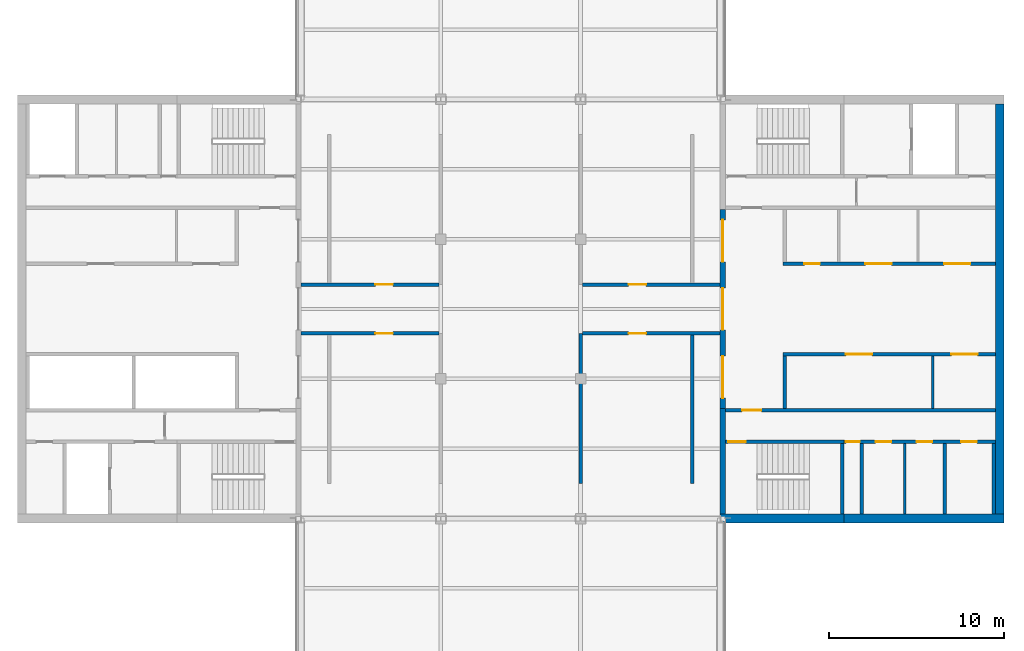
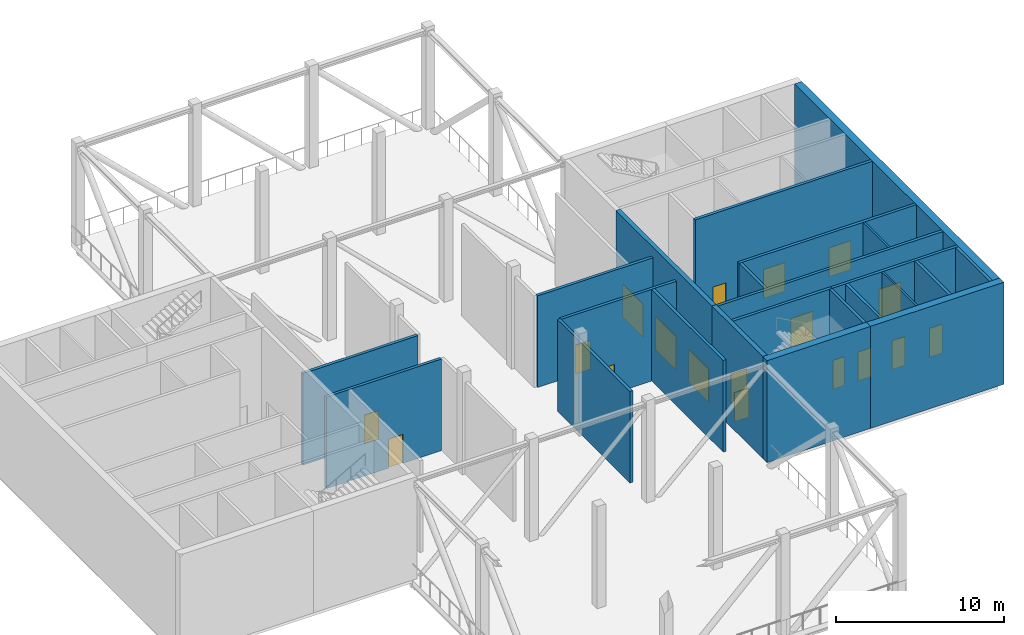
# One storey, part 3 of 9: 23 walls, 18 doors, 18 openings.
"""IFC4 building model written with IfcOpenShell, lengths in metres."""

from ifc_helpers import new_model, si_unit, direction, frame, frame_2d, origin, place, context, subcontext, project, spatial, rectangle, extrude, material, layer, layer_set, constituent, constituent_set, type_object, element, fill, save


model = new_model("IFC4")

# Units and contexts
model_context = context("Model", 3, precision=1e-05, world=origin(), true_north=direction((0.0, 1.0)))
body_context = subcontext(model_context, "Body", "Model", "MODEL_VIEW")
ifc_project = project(units=[si_unit("LENGTHUNIT", "METRE"), si_unit("AREAUNIT", "SQUARE_METRE"), si_unit("VOLUMEUNIT", "CUBIC_METRE"), si_unit("PLANEANGLEUNIT", "RADIAN"), si_unit("MASSUNIT", "GRAM", prefix="KILO")], contexts=[model_context])

# Site, building, storey
site_placement = place(None, origin())
site = spatial("IfcSite", under=ifc_project, at=site_placement, CompositionType="ELEMENT")
building_placement = place(site_placement, origin())
building = spatial("IfcBuilding", under=site, at=building_placement, Name="Crosswind Convention Tower", CompositionType="ELEMENT")
storey_placement = place(building_placement, frame((0.0, 0.0, 303.89990234375)))
storey = spatial("IfcBuildingStorey", under=building, at=storey_placement, Name="L66", CompositionType="ELEMENT", Elevation=303.89990234375)

# Walls
ifc_material_1 = material(Name="Concrete blockwork", Category="masonry")
ifc_layer_1 = layer(ifc_material_1, 0.199951171875)
ifc_layer_set_1 = layer_set([ifc_layer_1], Name="Blockwork partition wall 200")
wall_type_1 = type_object("IfcWallType", Name="Blockwork partition wall 200", PredefinedType="PARTITIONING", material=ifc_layer_set_1)
wall_1_placement = place(storey_placement, frame((145.10009765625, 88.25, 0.0), z_axis=(0.0, 0.0, 1.0), x_axis=(0.0, 1.0, 0.0)))
element("IfcWall", 1, at=wall_1_placement, inside=storey, type_object=wall_type_1, Name="Wall MRSE E L66", PredefinedType="PARTITIONING", context=body_context, shape_type="SweptSolid", body=[
    extrude(rectangle(XDim=4.050048828125, YDim=0.199951171875, at=frame_2d((2.02490234375, 0.0))), origin(), (0.0, 0.0, 1.0), 7.400146484375),
])
ifc_layer_2 = layer(ifc_material_1, 0.199951171875)
ifc_layer_set_2 = layer_set([ifc_layer_2], Name="COMPARTMENT WALL 200 BLOCKWORK")
wall_type_2 = type_object("IfcWallType", Name="COMPARTMENT WALL 200 BLOCKWORK", PredefinedType="SOLIDWALL", material=ifc_layer_set_2)
wall_2_placement = place(storey_placement, frame((129.0, 90.0, 0.0), z_axis=(0.0, 0.0, 1.0), x_axis=(0.0, 1.0, 0.0)))
element("IfcWall", 2, at=wall_2_placement, inside=storey, type_object=wall_type_2, Name="Compartment wall WT42", PredefinedType="SOLIDWALL", context=body_context, shape_type="SweptSolid", body=[
    extrude(rectangle(XDim=8.60009765625, YDim=0.199951171875, at=frame_2d((4.300048828125, 0.0))), origin(), (0.0, 0.0, 1.0), 6.642822265625),
])
wall_3_placement = place(storey_placement, frame((135.39990234375, 90.0, 0.0), z_axis=(0.0, 0.0, 1.0), x_axis=(0.0, 1.0, 0.0)))
element("IfcWall", 3, at=wall_3_placement, inside=storey, type_object=wall_type_2, Name="Compartment wall WT42", PredefinedType="SOLIDWALL", context=body_context, shape_type="SweptSolid", body=[
    extrude(rectangle(XDim=8.5, YDim=0.199951171875, at=frame_2d((4.25, 0.0))), origin(), (0.0, 0.0, 1.0), 6.642822265625),
])

# Wall, opening, door
wall_4_placement = place(storey_placement, frame((113.0, 98.60009765625, 0.0), z_axis=(0.0, 0.0, 1.0), x_axis=(1.0, 0.0, 0.0)))
wall_4 = element("IfcWall", 4, at=wall_4_placement, inside=storey, type_object=wall_type_2, Name="Compartment wall WT42", PredefinedType="SOLIDWALL", context=body_context, shape_type="SweptSolid", body=[
    extrude(rectangle(XDim=7.89990234375, YDim=0.199951171875, at=frame_2d((3.949951171875, 0.0))), origin(), (0.0, 0.0, 1.0), 6.642822265625),
])
opening_1_placement = place(wall_4_placement, frame((4.25, 0.0, 0.0)))
opening_1 = element("IfcOpeningElement", 5, at=opening_1_placement, cuts=wall_4, Name="Opening L66-52", PredefinedType="OPENING", context=body_context, shape_type="SweptSolid", body=[
    extrude(rectangle(XDim=1.0, YDim=2.10009765625, at=frame_2d((0.5, 1.050048828125))), frame((0.0, 0.10986328125, 0.0), z_axis=(0.0, -1.0, 0.0), x_axis=(1.0, 0.0, 0.0)), (0.0, 0.0, 1.0), 0.219970703125),
])
ifc_material_2 = material(Name="Steel fire door", Category="steel")
door_type_1 = type_object("IfcDoorType", Name="PLANT ROOM DOOR 1000X2100 FD60", OperationType="NOTDEFINED", PredefinedType="DOOR", material=ifc_material_2)
door_1_placement = place(opening_1_placement, frame((1.0, 0.0, 0.0), z_axis=(0.0, 0.0, 1.0), x_axis=(-1.0, 0.0, 0.0)))
door_1 = element("IfcDoor", 6, at=door_1_placement, inside=storey, type_object=door_type_1, Name="Door L66-52", ObjectType="D43", OperationType="SINGLE_SWING_RIGHT", OverallHeight=2.10009765625, OverallWidth=1.0, PredefinedType="DOOR", context=body_context, shape_type="SweptSolid", body=[
    extrude(rectangle(XDim=1.0, YDim=2.10009765625, at=frame_2d((0.5, 1.050048828125))), frame((0.0, 0.02490234375, 0.0), z_axis=(0.0, -1.0, 0.0), x_axis=(1.0, 0.0, 0.0)), (0.0, 0.0, 1.0), 0.050048828125),
])
fill(opening_1, door_1)

wall_5_placement = place(storey_placement, frame((129.10009765625, 98.60009765625, 0.0), z_axis=(0.0, 0.0, 1.0), x_axis=(1.0, 0.0, 0.0)))
wall_5 = element("IfcWall", 7, at=wall_5_placement, inside=storey, type_object=wall_type_2, Name="Compartment wall WT42", PredefinedType="SOLIDWALL", context=body_context, shape_type="SweptSolid", body=[
    extrude(rectangle(XDim=7.89990234375, YDim=0.199951171875, at=frame_2d((3.949951171875, 0.0))), origin(), (0.0, 0.0, 1.0), 6.642822265625),
])
opening_2_placement = place(wall_5_placement, frame((2.64990234375, 0.0, 0.0)))
opening_2 = element("IfcOpeningElement", 8, at=opening_2_placement, cuts=wall_5, Name="Opening L66-53", PredefinedType="OPENING", context=body_context, shape_type="SweptSolid", body=[
    extrude(rectangle(XDim=1.0, YDim=2.10009765625, at=frame_2d((0.5, 1.050048828125))), frame((0.0, 0.10986328125, 0.0), z_axis=(0.0, -1.0, 0.0), x_axis=(1.0, 0.0, 0.0)), (0.0, 0.0, 1.0), 0.219970703125),
])
door_2_placement = place(opening_2_placement, frame((1.0, 0.0, 0.0), z_axis=(0.0, 0.0, 1.0), x_axis=(-1.0, 0.0, 0.0)))
door_2 = element("IfcDoor", 9, at=door_2_placement, inside=storey, type_object=door_type_1, Name="Door L66-53", ObjectType="D43", OperationType="SINGLE_SWING_LEFT", OverallHeight=2.10009765625, OverallWidth=1.0, PredefinedType="DOOR", context=body_context, shape_type="SweptSolid", body=[
    extrude(rectangle(XDim=1.0, YDim=2.10009765625, at=frame_2d((0.5, 1.050048828125))), frame((0.0, 0.02490234375, 0.0), z_axis=(0.0, -1.0, 0.0), x_axis=(1.0, 0.0, 0.0)), (0.0, 0.0, 1.0), 0.050048828125),
])
fill(opening_2, door_2)

wall_6_placement = place(storey_placement, frame((113.0, 101.39990234375, 0.0), z_axis=(0.0, 0.0, 1.0), x_axis=(1.0, 0.0, 0.0)))
wall_6 = element("IfcWall", 10, at=wall_6_placement, inside=storey, type_object=wall_type_2, Name="Compartment wall WT42", PredefinedType="SOLIDWALL", context=body_context, shape_type="SweptSolid", body=[
    extrude(rectangle(XDim=7.89990234375, YDim=0.199951171875, at=frame_2d((3.949951171875, 0.0))), origin(), (0.0, 0.0, 1.0), 6.642822265625),
])
opening_3_placement = place(wall_6_placement, frame((4.25, 0.0, 0.0)))
opening_3 = element("IfcOpeningElement", 11, at=opening_3_placement, cuts=wall_6, Name="Opening L66-50", PredefinedType="OPENING", context=body_context, shape_type="SweptSolid", body=[
    extrude(rectangle(XDim=1.0, YDim=2.10009765625, at=frame_2d((0.5, 1.050048828125))), frame((0.0, 0.10986328125, 0.0), z_axis=(0.0, -1.0, 0.0), x_axis=(1.0, 0.0, 0.0)), (0.0, 0.0, 1.0), 0.219970703125),
])
door_3_placement = place(opening_3_placement, origin())
door_3 = element("IfcDoor", 12, at=door_3_placement, inside=storey, type_object=door_type_1, Name="Door L66-50", ObjectType="D43", OperationType="SINGLE_SWING_LEFT", OverallHeight=2.10009765625, OverallWidth=1.0, PredefinedType="DOOR", context=body_context, shape_type="SweptSolid", body=[
    extrude(rectangle(XDim=1.0, YDim=2.10009765625, at=frame_2d((0.5, 1.050048828125))), frame((0.0, 0.02490234375, 0.0), z_axis=(0.0, -1.0, 0.0), x_axis=(1.0, 0.0, 0.0)), (0.0, 0.0, 1.0), 0.050048828125),
])
fill(opening_3, door_3)

wall_7_placement = place(storey_placement, frame((129.10009765625, 101.39990234375, 0.0), z_axis=(0.0, 0.0, 1.0), x_axis=(1.0, 0.0, 0.0)))
wall_7 = element("IfcWall", 13, at=wall_7_placement, inside=storey, type_object=wall_type_2, Name="Compartment wall WT42", PredefinedType="SOLIDWALL", context=body_context, shape_type="SweptSolid", body=[
    extrude(rectangle(XDim=7.89990234375, YDim=0.199951171875, at=frame_2d((3.949951171875, 0.0))), origin(), (0.0, 0.0, 1.0), 6.642822265625),
])
opening_4_placement = place(wall_7_placement, frame((2.64990234375, 0.0, 0.0)))
opening_4 = element("IfcOpeningElement", 14, at=opening_4_placement, cuts=wall_7, Name="Opening L66-51", PredefinedType="OPENING", context=body_context, shape_type="SweptSolid", body=[
    extrude(rectangle(XDim=1.0, YDim=2.10009765625, at=frame_2d((0.5, 1.050048828125))), frame((0.0, 0.10986328125, 0.0), z_axis=(0.0, -1.0, 0.0), x_axis=(1.0, 0.0, 0.0)), (0.0, 0.0, 1.0), 0.219970703125),
])
door_4_placement = place(opening_4_placement, origin())
door_4 = element("IfcDoor", 15, at=door_4_placement, inside=storey, type_object=door_type_1, Name="Door L66-51", ObjectType="D43", OperationType="SINGLE_SWING_RIGHT", OverallHeight=2.10009765625, OverallWidth=1.0, PredefinedType="DOOR", context=body_context, shape_type="SweptSolid", body=[
    extrude(rectangle(XDim=1.0, YDim=2.10009765625, at=frame_2d((0.5, 1.050048828125))), frame((0.0, 0.02490234375, 0.0), z_axis=(0.0, -1.0, 0.0), x_axis=(1.0, 0.0, 0.0)), (0.0, 0.0, 1.0), 0.050048828125),
])
fill(opening_4, door_4)

# Wall, openings, doors
ifc_material_3 = material(Name="Concrete C50/60", Category="concrete")
ifc_layer_3 = layer(ifc_material_3, 0.300048828125)
ifc_layer_set_3 = layer_set([ifc_layer_3], Name="Concrete C50/60")
wall_type_3 = type_object("IfcWallType", Name="Concrete inner core wall 300", PredefinedType="SHEAR", material=ifc_layer_set_3)
wall_8_placement = place(storey_placement, frame((137.14990234375, 94.300048828125, 0.0), z_axis=(0.0, 0.0, 1.0), x_axis=(0.0, 1.0, 0.0)))
wall_8 = element("IfcWall", 16, at=wall_8_placement, inside=storey, type_object=wall_type_3, Name="Wall SCR E L66", PredefinedType="SHEAR", context=body_context, shape_type="SweptSolid", body=[
    extrude(rectangle(XDim=11.39990234375, YDim=0.300048828125, at=frame_2d((5.699951171875, 0.0))), origin(), (0.0, 0.0, 1.0), 7.400146484375),
])
opening_5_placement = place(wall_8_placement, frame((0.60009765625, 0.0, 0.0)))
opening_5 = element("IfcOpeningElement", 17, at=opening_5_placement, cuts=wall_8, Name="Opening D100", PredefinedType="OPENING", context=body_context, shape_type="SweptSolid", body=[
    extrude(rectangle(XDim=2.39990234375, YDim=2.39990234375, at=frame_2d((1.199951171875, 1.199951171875))), frame((0.0, 0.159912109375, 0.0), z_axis=(0.0, -1.0, 0.0), x_axis=(1.0, 0.0, 0.0)), (0.0, 0.0, 1.0), 0.320068359375),
])
opening_6_placement = place(wall_8_placement, frame((4.5, 0.0, 0.0)))
opening_6 = element("IfcOpeningElement", 18, at=opening_6_placement, cuts=wall_8, Name="Opening D100", PredefinedType="OPENING", context=body_context, shape_type="SweptSolid", body=[
    extrude(rectangle(XDim=2.39990234375, YDim=2.39990234375, at=frame_2d((1.199951171875, 1.199951171875))), frame((0.0, 0.159912109375, 0.0), z_axis=(0.0, -1.0, 0.0), x_axis=(1.0, 0.0, 0.0)), (0.0, 0.0, 1.0), 0.320068359375),
])
opening_7_placement = place(wall_8_placement, frame((8.39990234375, 0.0, 0.0)))
opening_7 = element("IfcOpeningElement", 19, at=opening_7_placement, cuts=wall_8, Name="Opening D100", PredefinedType="OPENING", context=body_context, shape_type="SweptSolid", body=[
    extrude(rectangle(XDim=2.39990234375, YDim=2.39990234375, at=frame_2d((1.199951171875, 1.199951171875))), frame((0.0, 0.159912109375, 0.0), z_axis=(0.0, -1.0, 0.0), x_axis=(1.0, 0.0, 0.0)), (0.0, 0.0, 1.0), 0.320068359375),
])
ifc_material_4 = material(Name="Steel fire door with glazed vision panels", Category="steel")
door_type_2 = type_object("IfcDoorType", Name="Fire-rated double door 2400x2400", OperationType="DOUBLE_DOOR_SINGLE_SWING", PredefinedType="DOOR", material=ifc_material_4)
door_5_placement = place(opening_5_placement, origin())
door_5 = element("IfcDoor", 20, at=door_5_placement, inside=storey, type_object=door_type_2, Name="Lobby door 1 L66", ObjectType="D100", OperationType="DOUBLE_DOOR_SINGLE_SWING", OverallHeight=2.39990234375, OverallWidth=2.39990234375, PredefinedType="DOOR", context=body_context, shape_type="SweptSolid", body=[
    extrude(rectangle(XDim=2.39990234375, YDim=2.39990234375, at=frame_2d((1.199951171875, 1.199951171875))), frame((0.0, 0.02490234375, 0.0), z_axis=(0.0, -1.0, 0.0), x_axis=(1.0, 0.0, 0.0)), (0.0, 0.0, 1.0), 0.050048828125),
])
fill(opening_5, door_5)
door_6_placement = place(opening_6_placement, origin())
door_6 = element("IfcDoor", 21, at=door_6_placement, inside=storey, type_object=door_type_2, Name="Lobby door 2 L66", ObjectType="D100", OperationType="DOUBLE_DOOR_SINGLE_SWING", OverallHeight=2.39990234375, OverallWidth=2.39990234375, PredefinedType="DOOR", context=body_context, shape_type="SweptSolid", body=[
    extrude(rectangle(XDim=2.39990234375, YDim=2.39990234375, at=frame_2d((1.199951171875, 1.199951171875))), frame((0.0, 0.02490234375, 0.0), z_axis=(0.0, -1.0, 0.0), x_axis=(1.0, 0.0, 0.0)), (0.0, 0.0, 1.0), 0.050048828125),
])
fill(opening_6, door_6)
door_7_placement = place(opening_7_placement, origin())
door_7 = element("IfcDoor", 22, at=door_7_placement, inside=storey, type_object=door_type_2, Name="Lobby door 3 L66", ObjectType="D100", OperationType="DOUBLE_DOOR_SINGLE_SWING", OverallHeight=2.39990234375, OverallWidth=2.39990234375, PredefinedType="DOOR", context=body_context, shape_type="SweptSolid", body=[
    extrude(rectangle(XDim=2.39990234375, YDim=2.39990234375, at=frame_2d((1.199951171875, 1.199951171875))), frame((0.0, 0.02490234375, 0.0), z_axis=(0.0, -1.0, 0.0), x_axis=(1.0, 0.0, 0.0)), (0.0, 0.0, 1.0), 0.050048828125),
])
fill(opening_7, door_7)

# Wall
wall_9_placement = place(storey_placement, frame((137.14990234375, 88.25, 0.0), z_axis=(0.0, 0.0, 1.0), x_axis=(0.0, 1.0, 0.0)))
element("IfcWall", 23, at=wall_9_placement, inside=storey, type_object=wall_type_3, Name="Wall EM E L66", PredefinedType="SHEAR", context=body_context, shape_type="SweptSolid", body=[
    extrude(rectangle(XDim=6.050048828125, YDim=0.300048828125, at=frame_2d((3.02490234375, 0.0))), origin(), (0.0, 0.0, 1.0), 7.400146484375),
])

# Wall, openings, doors
ifc_layer_4 = layer(ifc_material_3, 0.199951171875)
ifc_layer_set_4 = layer_set([ifc_layer_4], Name="Concrete C50/60")
wall_type_4 = type_object("IfcWallType", Name="Concrete shaft and stair wall 200", PredefinedType="SHEAR", material=ifc_layer_set_4)
wall_10_placement = place(storey_placement, frame((140.60009765625, 102.60009765625, 0.0), z_axis=(0.0, 0.0, 1.0), x_axis=(1.0, 0.0, 0.0)))
wall_10 = element("IfcWall", 24, at=wall_10_placement, inside=storey, type_object=wall_type_4, Name="Wall RPFRONT E L66", PredefinedType="SHEAR", context=body_context, shape_type="SweptSolid", body=[
    extrude(rectangle(XDim=12.14990234375, YDim=0.199951171875, at=frame_2d((6.074951171875, 0.0))), origin(), (0.0, 0.0, 1.0), 7.400146484375),
])
opening_8_placement = place(wall_10_placement, frame((1.21240234375, 0.0, 0.0)))
opening_8 = element("IfcOpeningElement", 25, at=opening_8_placement, cuts=wall_10, Name="Opening D106", PredefinedType="OPENING", context=body_context, shape_type="SweptSolid", body=[
    extrude(rectangle(XDim=0.89990234375, YDim=2.10009765625, at=frame_2d((0.449951171875, 1.050048828125))), frame((0.0, 0.10986328125, 0.0), z_axis=(0.0, -1.0, 0.0), x_axis=(1.0, 0.0, 0.0)), (0.0, 0.0, 1.0), 0.219970703125),
])
opening_9_placement = place(wall_10_placement, frame((4.7080078125, 0.0, 0.0)))
opening_9 = element("IfcOpeningElement", 26, at=opening_9_placement, cuts=wall_10, Name="Opening D108", PredefinedType="OPENING", context=body_context, shape_type="SweptSolid", body=[
    extrude(rectangle(XDim=1.5, YDim=2.10009765625, at=frame_2d((0.75, 1.050048828125))), frame((0.0, 0.10986328125, 0.0), z_axis=(0.0, -1.0, 0.0), x_axis=(1.0, 0.0, 0.0)), (0.0, 0.0, 1.0), 0.219970703125),
])
opening_10_placement = place(wall_10_placement, frame((9.220458984375, 0.0, 0.0)))
opening_10 = element("IfcOpeningElement", 27, at=opening_10_placement, cuts=wall_10, Name="Opening D108", PredefinedType="OPENING", context=body_context, shape_type="SweptSolid", body=[
    extrude(rectangle(XDim=1.5, YDim=2.10009765625, at=frame_2d((0.75, 1.050048828125))), frame((0.0, 0.10986328125, 0.0), z_axis=(0.0, -1.0, 0.0), x_axis=(1.0, 0.0, 0.0)), (0.0, 0.0, 1.0), 0.219970703125),
])
door_type_3 = type_object("IfcDoorType", Name="Plant room double door 1500x2100", OperationType="DOUBLE_DOOR_SINGLE_SWING", PredefinedType="DOOR", material=ifc_material_2)
door_8_placement = place(opening_9_placement, origin())
door_8 = element("IfcDoor", 28, at=door_8_placement, inside=storey, type_object=door_type_3, Name="Door to mechanical plant room L66", ObjectType="D108", OperationType="DOUBLE_DOOR_SINGLE_SWING", OverallHeight=2.10009765625, OverallWidth=1.5, PredefinedType="DOOR", context=body_context, shape_type="SweptSolid", body=[
    extrude(rectangle(XDim=1.5, YDim=2.10009765625, at=frame_2d((0.75, 1.050048828125))), frame((0.0, 0.02490234375, 0.0), z_axis=(0.0, -1.0, 0.0), x_axis=(1.0, 0.0, 0.0)), (0.0, 0.0, 1.0), 0.050048828125),
])
fill(opening_9, door_8)
door_9_placement = place(opening_10_placement, origin())
door_9 = element("IfcDoor", 29, at=door_9_placement, inside=storey, type_object=door_type_3, Name="Door to pump room L66", ObjectType="D108", OperationType="DOUBLE_DOOR_SINGLE_SWING", OverallHeight=2.10009765625, OverallWidth=1.5, PredefinedType="DOOR", context=body_context, shape_type="SweptSolid", body=[
    extrude(rectangle(XDim=1.5, YDim=2.10009765625, at=frame_2d((0.75, 1.050048828125))), frame((0.0, 0.02490234375, 0.0), z_axis=(0.0, -1.0, 0.0), x_axis=(1.0, 0.0, 0.0)), (0.0, 0.0, 1.0), 0.050048828125),
])
fill(opening_10, door_9)
ifc_material_5 = material(Name="Timber door", Category="wood")
door_type_4 = type_object("IfcDoorType", Name="Single leaf door 900x2100", OperationType="NOTDEFINED", PredefinedType="DOOR", material=ifc_material_5)
door_10_placement = place(opening_8_placement, origin())
door_10 = element("IfcDoor", 30, at=door_10_placement, inside=storey, type_object=door_type_4, Name="Door to electrical plant room L66", ObjectType="D106", OperationType="SINGLE_SWING_RIGHT", OverallHeight=2.10009765625, OverallWidth=0.89990234375, PredefinedType="DOOR", context=body_context, shape_type="SweptSolid", body=[
    extrude(rectangle(XDim=0.89990234375, YDim=2.10009765625, at=frame_2d((0.449951171875, 1.050048828125))), frame((0.0, 0.02490234375, 0.0), z_axis=(0.0, -1.0, 0.0), x_axis=(1.0, 0.0, 0.0)), (0.0, 0.0, 1.0), 0.050048828125),
])
fill(opening_8, door_10)

# Wall
wall_11_placement = place(storey_placement, frame((140.699951171875, 94.300048828125, 0.0), z_axis=(0.0, 0.0, 1.0), x_axis=(0.0, 1.0, 0.0)))
element("IfcWall", 31, at=wall_11_placement, inside=storey, type_object=wall_type_4, Name="Wall RMEND E L66", PredefinedType="SHEAR", context=body_context, shape_type="SweptSolid", body=[
    extrude(rectangle(XDim=3.0, YDim=0.199951171875, at=frame_2d((1.5, 0.0))), origin(), (0.0, 0.0, 1.0), 7.400146484375),
])

# Wall, openings, doors
wall_12_placement = place(storey_placement, frame((140.60009765625, 97.39990234375, 0.0), z_axis=(0.0, 0.0, 1.0), x_axis=(1.0, 0.0, 0.0)))
wall_12 = element("IfcWall", 32, at=wall_12_placement, inside=storey, type_object=wall_type_4, Name="Wall RMFRONT E L66", PredefinedType="SHEAR", context=body_context, shape_type="SweptSolid", body=[
    extrude(rectangle(XDim=12.14990234375, YDim=0.199951171875, at=frame_2d((6.074951171875, 0.0))), origin(), (0.0, 0.0, 1.0), 7.400146484375),
])
opening_11_placement = place(wall_12_placement, frame((3.601318359375, 0.0, 0.0)))
opening_11 = element("IfcOpeningElement", 33, at=opening_11_placement, cuts=wall_12, Name="Opening D108", PredefinedType="OPENING", context=body_context, shape_type="SweptSolid", body=[
    extrude(rectangle(XDim=1.5, YDim=2.10009765625, at=frame_2d((0.75, 1.050048828125))), frame((0.0, 0.10986328125, 0.0), z_axis=(0.0, -1.0, 0.0), x_axis=(1.0, 0.0, 0.0)), (0.0, 0.0, 1.0), 0.219970703125),
])
opening_12_placement = place(wall_12_placement, frame((9.638671875, 0.0, 0.0)))
opening_12 = element("IfcOpeningElement", 34, at=opening_12_placement, cuts=wall_12, Name="Opening D108", PredefinedType="OPENING", context=body_context, shape_type="SweptSolid", body=[
    extrude(rectangle(XDim=1.5, YDim=2.10009765625, at=frame_2d((0.75, 1.050048828125))), frame((0.0, 0.10986328125, 0.0), z_axis=(0.0, -1.0, 0.0), x_axis=(1.0, 0.0, 0.0)), (0.0, 0.0, 1.0), 0.219970703125),
])
door_11_placement = place(opening_11_placement, frame((1.5, 0.0, 0.0), z_axis=(0.0, 0.0, 1.0), x_axis=(-1.0, 0.0, 0.0)))
door_11 = element("IfcDoor", 35, at=door_11_placement, inside=storey, type_object=door_type_3, Name="Door to mechanical plant room L66", ObjectType="D108", OperationType="DOUBLE_DOOR_SINGLE_SWING", OverallHeight=2.10009765625, OverallWidth=1.5, PredefinedType="DOOR", context=body_context, shape_type="SweptSolid", body=[
    extrude(rectangle(XDim=1.5, YDim=2.10009765625, at=frame_2d((0.75, 1.050048828125))), frame((0.0, 0.02490234375, 0.0), z_axis=(0.0, -1.0, 0.0), x_axis=(1.0, 0.0, 0.0)), (0.0, 0.0, 1.0), 0.050048828125),
])
fill(opening_11, door_11)
door_12_placement = place(opening_12_placement, frame((1.5, 0.0, 0.0), z_axis=(0.0, 0.0, 1.0), x_axis=(-1.0, 0.0, 0.0)))
door_12 = element("IfcDoor", 36, at=door_12_placement, inside=storey, type_object=door_type_3, Name="Door to pump room L66", ObjectType="D108", OperationType="DOUBLE_DOOR_SINGLE_SWING", OverallHeight=2.10009765625, OverallWidth=1.5, PredefinedType="DOOR", context=body_context, shape_type="SweptSolid", body=[
    extrude(rectangle(XDim=1.5, YDim=2.10009765625, at=frame_2d((0.75, 1.050048828125))), frame((0.0, 0.02490234375, 0.0), z_axis=(0.0, -1.0, 0.0), x_axis=(1.0, 0.0, 0.0)), (0.0, 0.0, 1.0), 0.050048828125),
])
fill(opening_12, door_12)

# Wall, opening, door
wall_13_placement = place(storey_placement, frame((137.300048828125, 94.199951171875, 0.0), z_axis=(0.0, 0.0, 1.0), x_axis=(1.0, 0.0, 0.0)))
wall_13 = element("IfcWall", 37, at=wall_13_placement, inside=storey, type_object=wall_type_4, Name="Wall HM E L66", PredefinedType="SHEAR", context=body_context, shape_type="SweptSolid", body=[
    extrude(rectangle(XDim=15.449951171875, YDim=0.199951171875, at=frame_2d((7.72509765625, 0.0))), origin(), (0.0, 0.0, 1.0), 7.400146484375),
])
opening_13_placement = place(wall_13_placement, frame((0.949951171875, 0.0, 0.0)))
opening_13 = element("IfcOpeningElement", 38, at=opening_13_placement, cuts=wall_13, Name="Opening D104", PredefinedType="OPENING", context=body_context, shape_type="SweptSolid", body=[
    extrude(rectangle(XDim=1.10009765625, YDim=2.10009765625, at=frame_2d((0.550048828125, 1.050048828125))), frame((0.0, 0.10986328125, 0.0), z_axis=(0.0, -1.0, 0.0), x_axis=(1.0, 0.0, 0.0)), (0.0, 0.0, 1.0), 0.219970703125),
])
door_type_5 = type_object("IfcDoorType", Name="Fire-rated single door 1100x2100", OperationType="NOTDEFINED", PredefinedType="DOOR", material=ifc_material_2)
door_13_placement = place(opening_13_placement, origin())
door_13 = element("IfcDoor", 39, at=door_13_placement, inside=storey, type_object=door_type_5, Name="Corridor door L66", ObjectType="D104", OperationType="SINGLE_SWING_LEFT", OverallHeight=2.10009765625, OverallWidth=1.10009765625, PredefinedType="DOOR", context=body_context, shape_type="SweptSolid", body=[
    extrude(rectangle(XDim=1.10009765625, YDim=2.10009765625, at=frame_2d((0.550048828125, 1.050048828125))), frame((0.0, 0.02490234375, 0.0), z_axis=(0.0, -1.0, 0.0), x_axis=(1.0, 0.0, 0.0)), (0.0, 0.0, 1.0), 0.050048828125),
])
fill(opening_13, door_13)

# Walls
for number, where, z_axis, x_axis, name in (
    (40, (144.0, 88.25, 0.0), (0.0, 0.0, 1.0), (0.0, 1.0, 0.0), "Wall MSE E L66"),
    (41, (149.85009765625, 88.25, 0.0), (0.0, 0.0, 1.0), (0.0, 1.0, 0.0), "Wall MFSW E L66"),
    (42, (152.64990234375, 88.25, 0.0), (0.0, 0.0, 1.0), (0.0, 1.0, 0.0), "Wall MFSE E L66"),
):
    element("IfcWall", number, at=place(storey_placement, frame(where, z_axis=z_axis, x_axis=x_axis)), inside=storey, type_object=wall_type_4, Name=name, PredefinedType="SHEAR", context=body_context, shape_type="SweptSolid", body=[
        extrude(rectangle(XDim=4.050048828125, YDim=0.199951171875, at=frame_2d((2.02490234375, 0.0))), origin(), (0.0, 0.0, 1.0), 7.400146484375),
    ])

# Wall, opening, door
wall_14_placement = place(storey_placement, frame((137.300048828125, 92.39990234375, 0.0), z_axis=(0.0, 0.0, 1.0), x_axis=(1.0, 0.0, 0.0)))
wall_14 = element("IfcWall", 43, at=wall_14_placement, inside=storey, type_object=wall_type_4, Name="Wall MCW E L66", PredefinedType="SHEAR", context=body_context, shape_type="SweptSolid", body=[
    extrude(rectangle(XDim=6.800048828125, YDim=0.199951171875, at=frame_2d((3.39990234375, 0.0))), origin(), (0.0, 0.0, 1.0), 7.400146484375),
])
opening_14_placement = place(wall_14_placement, frame((0.14990234375, 0.0, 0.0)))
opening_14 = element("IfcOpeningElement", 44, at=opening_14_placement, cuts=wall_14, Name="Opening D103", PredefinedType="OPENING", context=body_context, shape_type="SweptSolid", body=[
    extrude(rectangle(XDim=1.0, YDim=2.10009765625, at=frame_2d((0.5, 1.050048828125))), frame((0.0, 0.10986328125, 0.0), z_axis=(0.0, -1.0, 0.0), x_axis=(1.0, 0.0, 0.0)), (0.0, 0.0, 1.0), 0.219970703125),
])
door_type_6 = type_object("IfcDoorType", Name="Fire-rated single door 1000x2100", OperationType="NOTDEFINED", PredefinedType="DOOR", material=ifc_material_2)
door_14_placement = place(opening_14_placement, frame((1.0, 0.0, 0.0), z_axis=(0.0, 0.0, 1.0), x_axis=(-1.0, 0.0, 0.0)))
door_14 = element("IfcDoor", 45, at=door_14_placement, inside=storey, type_object=door_type_6, Name="Stair ST2 door L66", ObjectType="D103", OperationType="SINGLE_SWING_RIGHT", OverallHeight=2.10009765625, OverallWidth=1.0, PredefinedType="DOOR", context=body_context, shape_type="SweptSolid", body=[
    extrude(rectangle(XDim=1.0, YDim=2.10009765625, at=frame_2d((0.5, 1.050048828125))), frame((0.0, 0.02490234375, 0.0), z_axis=(0.0, -1.0, 0.0), x_axis=(1.0, 0.0, 0.0)), (0.0, 0.0, 1.0), 0.050048828125),
])
fill(opening_14, door_14)

# Wall, openings, doors
wall_15_placement = place(storey_placement, frame((144.10009765625, 92.39990234375, 0.0), z_axis=(0.0, 0.0, 1.0), x_axis=(1.0, 0.0, 0.0)))
wall_15 = element("IfcWall", 46, at=wall_15_placement, inside=storey, type_object=wall_type_4, Name="Wall MCX E L66", PredefinedType="SHEAR", context=body_context, shape_type="SweptSolid", body=[
    extrude(rectangle(XDim=8.64990234375, YDim=0.199951171875, at=frame_2d((4.324951171875, 0.0))), origin(), (0.0, 0.0, 1.0), 7.400146484375),
])
opening_15_placement = place(wall_15_placement, frame((0.10009765625, 0.0, 0.0)))
opening_15 = element("IfcOpeningElement", 47, at=opening_15_placement, cuts=wall_15, Name="Opening D105", PredefinedType="OPENING", context=body_context, shape_type="SweptSolid", body=[
    extrude(rectangle(XDim=0.800048828125, YDim=2.10009765625, at=frame_2d((0.39990234375, 1.050048828125))), frame((0.0, 0.10986328125, 0.0), z_axis=(0.0, -1.0, 0.0), x_axis=(1.0, 0.0, 0.0)), (0.0, 0.0, 1.0), 0.219970703125),
])
opening_16_placement = place(wall_15_placement, frame((1.8017578125, 0.0, 0.0)))
opening_16 = element("IfcOpeningElement", 48, at=opening_16_placement, cuts=wall_15, Name="Opening D106", PredefinedType="OPENING", context=body_context, shape_type="SweptSolid", body=[
    extrude(rectangle(XDim=0.89990234375, YDim=2.10009765625, at=frame_2d((0.449951171875, 1.050048828125))), frame((0.0, 0.10986328125, 0.0), z_axis=(0.0, -1.0, 0.0), x_axis=(1.0, 0.0, 0.0)), (0.0, 0.0, 1.0), 0.219970703125),
])
opening_17_placement = place(wall_15_placement, frame((4.13916015625, 0.0, 0.0)))
opening_17 = element("IfcOpeningElement", 49, at=opening_17_placement, cuts=wall_15, Name="Opening D106", PredefinedType="OPENING", context=body_context, shape_type="SweptSolid", body=[
    extrude(rectangle(XDim=0.89990234375, YDim=2.10009765625, at=frame_2d((0.449951171875, 1.050048828125))), frame((0.0, 0.10986328125, 0.0), z_axis=(0.0, -1.0, 0.0), x_axis=(1.0, 0.0, 0.0)), (0.0, 0.0, 1.0), 0.219970703125),
])
opening_18_placement = place(wall_15_placement, frame((6.699951171875, 0.0, 0.0)))
opening_18 = element("IfcOpeningElement", 50, at=opening_18_placement, cuts=wall_15, Name="Opening D106", PredefinedType="OPENING", context=body_context, shape_type="SweptSolid", body=[
    extrude(rectangle(XDim=0.89990234375, YDim=2.10009765625, at=frame_2d((0.449951171875, 1.050048828125))), frame((0.0, 0.10986328125, 0.0), z_axis=(0.0, -1.0, 0.0), x_axis=(1.0, 0.0, 0.0)), (0.0, 0.0, 1.0), 0.219970703125),
])
door_type_7 = type_object("IfcDoorType", Name="Riser access door 800x2100", OperationType="NOTDEFINED", PredefinedType="DOOR", material=ifc_material_2)
door_15_placement = place(opening_15_placement, frame((0.800048828125, 0.0, 0.0), z_axis=(0.0, 0.0, 1.0), x_axis=(-1.0, 0.0, 0.0)))
door_15 = element("IfcDoor", 51, at=door_15_placement, inside=storey, type_object=door_type_7, Name="Riser door L66", ObjectType="D105", OperationType="SINGLE_SWING_LEFT", OverallHeight=2.10009765625, OverallWidth=0.800048828125, PredefinedType="DOOR", context=body_context, shape_type="SweptSolid", body=[
    extrude(rectangle(XDim=0.800048828125, YDim=2.10009765625, at=frame_2d((0.39990234375, 1.050048828125))), frame((0.0, 0.02490234375, 0.0), z_axis=(0.0, -1.0, 0.0), x_axis=(1.0, 0.0, 0.0)), (0.0, 0.0, 1.0), 0.050048828125),
])
fill(opening_15, door_15)
door_16_placement = place(opening_16_placement, frame((0.89990234375, 0.0, 0.0), z_axis=(0.0, 0.0, 1.0), x_axis=(-1.0, 0.0, 0.0)))
door_16 = element("IfcDoor", 52, at=door_16_placement, inside=storey, type_object=door_type_4, Name="Door to mechanical plant room L66", ObjectType="D106", OperationType="SINGLE_SWING_LEFT", OverallHeight=2.10009765625, OverallWidth=0.89990234375, PredefinedType="DOOR", context=body_context, shape_type="SweptSolid", body=[
    extrude(rectangle(XDim=0.89990234375, YDim=2.10009765625, at=frame_2d((0.449951171875, 1.050048828125))), frame((0.0, 0.02490234375, 0.0), z_axis=(0.0, -1.0, 0.0), x_axis=(1.0, 0.0, 0.0)), (0.0, 0.0, 1.0), 0.050048828125),
])
fill(opening_16, door_16)
door_17_placement = place(opening_17_placement, frame((0.89990234375, 0.0, 0.0), z_axis=(0.0, 0.0, 1.0), x_axis=(-1.0, 0.0, 0.0)))
door_17 = element("IfcDoor", 53, at=door_17_placement, inside=storey, type_object=door_type_4, Name="Door to pump room L66", ObjectType="D106", OperationType="SINGLE_SWING_LEFT", OverallHeight=2.10009765625, OverallWidth=0.89990234375, PredefinedType="DOOR", context=body_context, shape_type="SweptSolid", body=[
    extrude(rectangle(XDim=0.89990234375, YDim=2.10009765625, at=frame_2d((0.449951171875, 1.050048828125))), frame((0.0, 0.02490234375, 0.0), z_axis=(0.0, -1.0, 0.0), x_axis=(1.0, 0.0, 0.0)), (0.0, 0.0, 1.0), 0.050048828125),
])
fill(opening_17, door_17)
door_18_placement = place(opening_18_placement, frame((0.89990234375, 0.0, 0.0), z_axis=(0.0, 0.0, 1.0), x_axis=(-1.0, 0.0, 0.0)))
door_18 = element("IfcDoor", 54, at=door_18_placement, inside=storey, type_object=door_type_4, Name="Door to pump room L66", ObjectType="D106", OperationType="SINGLE_SWING_LEFT", OverallHeight=2.10009765625, OverallWidth=0.89990234375, PredefinedType="DOOR", context=body_context, shape_type="SweptSolid", body=[
    extrude(rectangle(XDim=0.89990234375, YDim=2.10009765625, at=frame_2d((0.449951171875, 1.050048828125))), frame((0.0, 0.02490234375, 0.0), z_axis=(0.0, -1.0, 0.0), x_axis=(1.0, 0.0, 0.0)), (0.0, 0.0, 1.0), 0.050048828125),
])
fill(opening_18, door_18)

# Walls
ifc_material_6 = material(Name="Gypsum plasterboard partition", Category="gypsum")
ifc_layer_5 = layer(ifc_material_6, 0.125)
ifc_layer_set_5 = layer_set([ifc_layer_5], Name="Drywall partition wall 125")
wall_type_5 = type_object("IfcWallType", Name="Drywall partition wall 125", PredefinedType="PARTITIONING", material=ifc_layer_set_5)
wall_16_placement = place(storey_placement, frame((149.1650390625, 94.300048828125, 0.0), z_axis=(0.0, 0.0, 1.0), x_axis=(0.0, 1.0, 0.0)))
element("IfcWall", 55, at=wall_16_placement, inside=storey, type_object=wall_type_5, Name="Wall RMP1 E L66", PredefinedType="PARTITIONING", context=body_context, shape_type="SweptSolid", body=[
    extrude(rectangle(XDim=3.0, YDim=0.125, at=frame_2d((1.5, 0.0))), origin(), (0.0, 0.0, 1.0), 7.400146484375),
])
wall_17_placement = place(storey_placement, frame((147.56591796875, 88.25, 0.0), z_axis=(0.0, 0.0, 1.0), x_axis=(0.0, 1.0, 0.0)))
element("IfcWall", 56, at=wall_17_placement, inside=storey, type_object=wall_type_5, Name="Wall MWP1 E L66", PredefinedType="PARTITIONING", context=body_context, shape_type="SweptSolid", body=[
    extrude(rectangle(XDim=4.050048828125, YDim=0.125, at=frame_2d((2.02490234375, 0.0))), origin(), (0.0, 0.0, 1.0), 7.400146484375),
])
ifc_material_7 = material(Name="Concrete C60/75", Category="concrete")
ifc_constituent_1 = constituent(ifc_material_7, Name="Structure")
ifc_material_8 = material(Name="Terracotta rainscreen", Category="ceramic")
ifc_constituent_2 = constituent(ifc_material_8, Name="Facing")
ifc_constituent_set = constituent_set(constituents=[ifc_constituent_1, ifc_constituent_2], Name="Concrete C60/75, Terracotta rainscreen")
wall_type_6 = type_object("IfcWallType", Name="Terracotta rainscreen on concrete core wall 500", PredefinedType="SHEAR", material=ifc_constituent_set)
wall_18_placement = place(storey_placement, frame((137.0, 88.0, 0.0), z_axis=(0.0, 0.0, 1.0), x_axis=(1.0, 0.0, 0.0)))
element("IfcWall", 57, at=wall_18_placement, inside=storey, type_object=wall_type_6, Name="Wall S1 E L66", PredefinedType="SHEAR", context=body_context, shape_type="SweptSolid", body=[
    extrude(rectangle(XDim=7.10009765625, YDim=0.5, at=frame_2d((3.550048828125, 0.0))), origin(), (0.0, 0.0, 1.0), 7.400146484375),
])
wall_19_placement = place(storey_placement, frame((144.10009765625, 88.0, 0.0), z_axis=(0.0, 0.0, 1.0), x_axis=(1.0, 0.0, 0.0)))
element("IfcWall", 58, at=wall_19_placement, inside=storey, type_object=wall_type_6, Name="Wall S2 E L66", PredefinedType="SHEAR", context=body_context, shape_type="SweptSolid", body=[
    extrude(rectangle(XDim=9.14990234375, YDim=0.5, at=frame_2d((4.574951171875, 0.0))), origin(), (0.0, 0.0, 1.0), 7.400146484375),
])
wall_20_placement = place(storey_placement, frame((153.0, 88.25, 0.0), z_axis=(0.0, 0.0, 1.0), x_axis=(0.0, 1.0, 0.0)))
element("IfcWall", 59, at=wall_20_placement, inside=storey, type_object=wall_type_6, Name="Wall O E L66", PredefinedType="SHEAR", context=body_context, shape_type="SweptSolid", body=[
    extrude(rectangle(XDim=23.5, YDim=0.5, at=frame_2d((11.75, 0.0))), origin(), (0.0, 0.0, 1.0), 7.400146484375),
])

save(model, "model.ifc")
